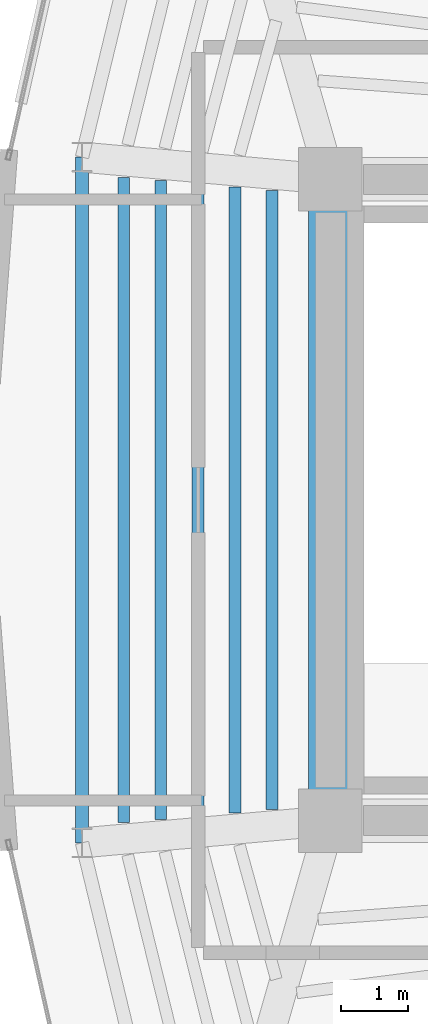
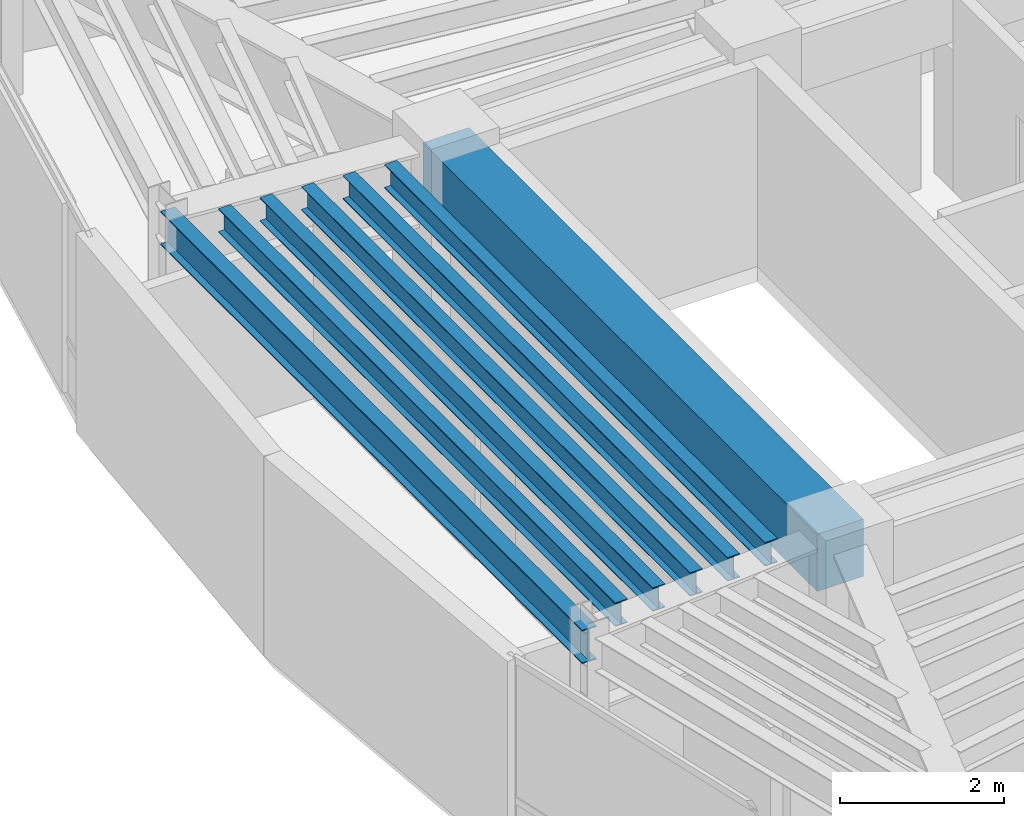
# One storey, part 4 of 13: 7 beams.
"""IFC4 building model written with IfcOpenShell, lengths in metres."""

from ifc_helpers import new_model, si_unit, direction, frame, origin, origin_2d, place, context, subcontext, project, spatial, rectangle, i_section, extrude, material, material_profile, profile_set, type_object, element, save


model = new_model("IFC4")

# Units and contexts
model_context = context("Model", 3, precision=1e-05, world=origin(), true_north=direction((0.0, 1.0)))
body_context = subcontext(model_context, "Body", "Model", "MODEL_VIEW")
ifc_project = project(units=[si_unit("LENGTHUNIT", "METRE"), si_unit("AREAUNIT", "SQUARE_METRE"), si_unit("VOLUMEUNIT", "CUBIC_METRE"), si_unit("PLANEANGLEUNIT", "RADIAN"), si_unit("MASSUNIT", "GRAM", prefix="KILO")], contexts=[model_context])

# Site, building, storey
site_placement = place(None, origin())
site = spatial("IfcSite", under=ifc_project, at=site_placement, CompositionType="ELEMENT")
building_placement = place(site_placement, origin())
building = spatial("IfcBuilding", under=site, at=building_placement, Name="Menara Vayukalpa", CompositionType="ELEMENT")
storey_placement = place(building_placement, frame((0.0, 0.0, 315.219970703125)))
storey = spatial("IfcBuildingStorey", under=building, at=storey_placement, Name="L81", CompositionType="ELEMENT", Elevation=315.219970703125)

# Beams
ifc_material_1 = material(Name="Concrete C60/75", Category="concrete")
ifc_material_profile_1 = material_profile(ifc_material_1, rectangle(XDim=0.64990234375, YDim=0.85009765625, at=origin_2d()), Name="RC 650x850")
ifc_profile_set_1 = profile_set([ifc_material_profile_1], Name="Concrete C60/75")
beam_type_1 = type_object("IfcBeamType", Name="BM-CB1", PredefinedType="BEAM", material=ifc_profile_set_1)
beam_1_placement = place(storey_placement, frame((17.800048828125, 17.199951171875, 2.534912109375), z_axis=(0.0, 1.0, 0.0), x_axis=(-1.0, 0.0, 0.0)))
element("IfcBeam", 1, at=beam_1_placement, inside=storey, type_object=beam_type_1, Name="L81 Core Tie Beam CBR7", PredefinedType="BEAM", context=body_context, shape_type="SweptSolid", body=[
    extrude(rectangle(XDim=0.64990234375, YDim=0.85009765625, at=origin_2d()), origin(), (0.0, 0.0, 1.0), 9.60009765625),
])
ifc_material_2 = material(Name="Steel S355", Category="steel")
ifc_material_profile_2 = material_profile(ifc_material_2, i_section(OverallWidth=0.175048828125, OverallDepth=0.35009765625, WebThickness=0.007080078125, FlangeThickness=0.010986328125, at=origin_2d()), Name="WF 350x175x7x11")
ifc_profile_set_2 = profile_set([ifc_material_profile_2], Name="Steel S355")
beam_type_2 = type_object("IfcBeamType", Name="BM-SJ3", PredefinedType="JOIST", material=ifc_profile_set_2)
beam_2_placement = place(storey_placement, frame((16.926513671875, 26.63330078125, 2.784912109375), z_axis=(0.0, -1.0, 0.0), x_axis=(1.0, 0.0, 0.0)))
element("IfcBeam", 2, at=beam_2_placement, inside=storey, type_object=beam_type_2, Name="L81 Secondary Floor Joist SJ05-1", PredefinedType="JOIST", context=body_context, shape_type="SweptSolid", body=[
    extrude(i_section(OverallWidth=0.175048828125, OverallDepth=0.35009765625, WebThickness=0.007080078125, FlangeThickness=0.010986328125, at=origin_2d()), origin(), (0.0, 0.0, 1.0), 9.2666015625),
])
beam_3_placement = place(storey_placement, frame((16.371337890625, 26.682861328125, 2.784912109375), z_axis=(0.0, -1.0, 0.0), x_axis=(1.0, 0.0, 0.0)))
element("IfcBeam", 3, at=beam_3_placement, inside=storey, type_object=beam_type_2, Name="L81 Secondary Floor Joist SJ05-2", PredefinedType="JOIST", context=body_context, shape_type="SweptSolid", body=[
    extrude(i_section(OverallWidth=0.175048828125, OverallDepth=0.35009765625, WebThickness=0.007080078125, FlangeThickness=0.010986328125, at=origin_2d()), origin(), (0.0, 0.0, 1.0), 9.36572265625),
])
beam_4_placement = place(storey_placement, frame((15.816162109375, 26.732421875, 2.784912109375), z_axis=(0.0, -1.0, 0.0), x_axis=(1.0, 0.0, 0.0)))
element("IfcBeam", 4, at=beam_4_placement, inside=storey, type_object=beam_type_2, Name="L81 Secondary Floor Joist SJ05-3", PredefinedType="JOIST", context=body_context, shape_type="SweptSolid", body=[
    extrude(i_section(OverallWidth=0.175048828125, OverallDepth=0.35009765625, WebThickness=0.007080078125, FlangeThickness=0.010986328125, at=origin_2d()), origin(), (0.0, 0.0, 1.0), 9.46484375),
])
beam_5_placement = place(storey_placement, frame((15.260986328125, 26.7822265625, 2.784912109375), z_axis=(0.0, -1.0, 0.0), x_axis=(1.0, 0.0, 0.0)))
element("IfcBeam", 5, at=beam_5_placement, inside=storey, type_object=beam_type_2, Name="L81 Secondary Floor Joist SJ05-4", PredefinedType="JOIST", context=body_context, shape_type="SweptSolid", body=[
    extrude(i_section(OverallWidth=0.175048828125, OverallDepth=0.35009765625, WebThickness=0.007080078125, FlangeThickness=0.010986328125, at=origin_2d()), origin(), (0.0, 0.0, 1.0), 9.564453125),
])
beam_6_placement = place(storey_placement, frame((14.705810546875, 26.831787109375, 2.784912109375), z_axis=(0.0, -1.0, 0.0), x_axis=(1.0, 0.0, 0.0)))
element("IfcBeam", 6, at=beam_6_placement, inside=storey, type_object=beam_type_2, Name="L81 Secondary Floor Joist SJ05-5", PredefinedType="JOIST", context=body_context, shape_type="SweptSolid", body=[
    extrude(i_section(OverallWidth=0.175048828125, OverallDepth=0.35009765625, WebThickness=0.007080078125, FlangeThickness=0.010986328125, at=origin_2d()), origin(), (0.0, 0.0, 1.0), 9.66357421875),
])
ifc_material_3 = material(Name="Steel S355", Category="steel")
ifc_material_profile_3 = material_profile(ifc_material_3, i_section(OverallWidth=0.199951171875, OverallDepth=0.5, WebThickness=0.010009765625, FlangeThickness=0.01611328125, at=origin_2d()), Name="WF 500x200x10x16")
ifc_profile_set_3 = profile_set([ifc_material_profile_3], Name="Steel S355")
beam_type_3 = type_object("IfcBeamType", Name="BM-SP3", PredefinedType="SPANDREL", material=ifc_profile_set_3)
beam_7_placement = place(storey_placement, frame((14.081298828125, 27.1328125, 2.7099609375), z_axis=(0.0, -1.0, 0.0), x_axis=(1.0, 0.0, 0.0)))
element("IfcBeam", 7, at=beam_7_placement, inside=storey, type_object=beam_type_3, Name="L81 Perimeter Spandrel Beam SP05", PredefinedType="SPANDREL", context=body_context, shape_type="SweptSolid", body=[
    extrude(i_section(OverallWidth=0.199951171875, OverallDepth=0.5, WebThickness=0.010009765625, FlangeThickness=0.01611328125, at=origin_2d()), origin(), (0.0, 0.0, 1.0), 10.265625),
])

save(model, "model.ifc")
